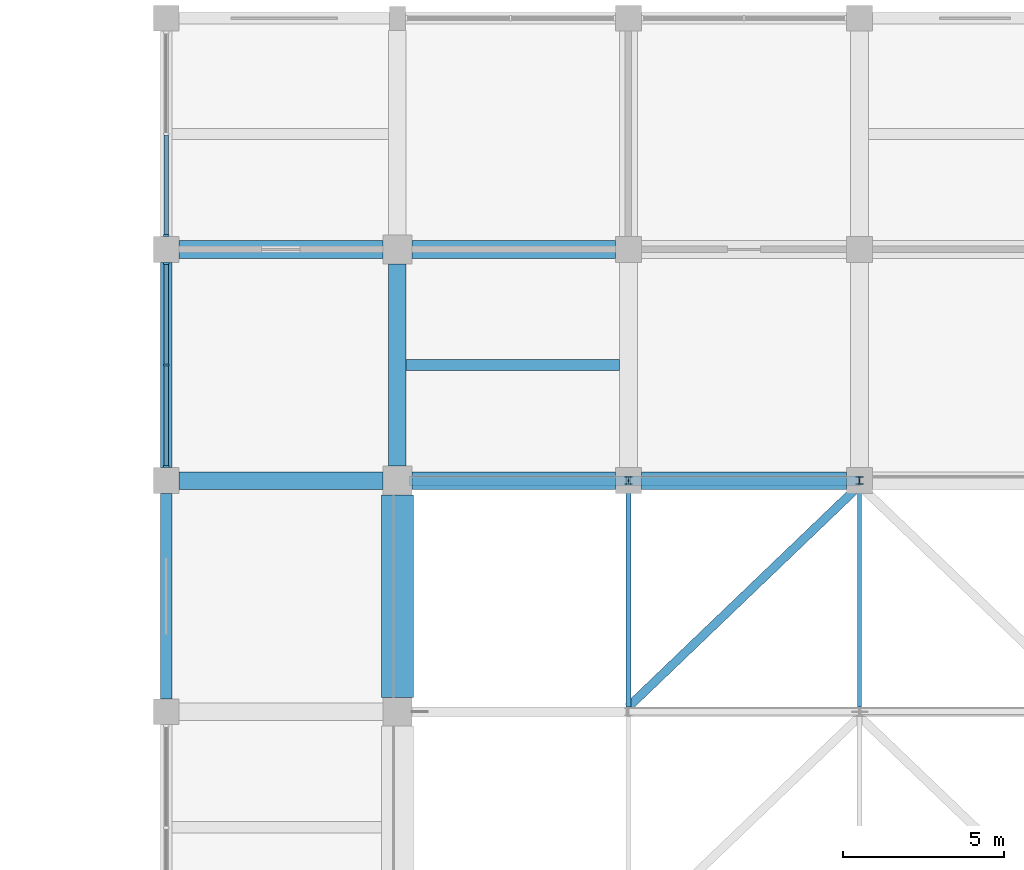
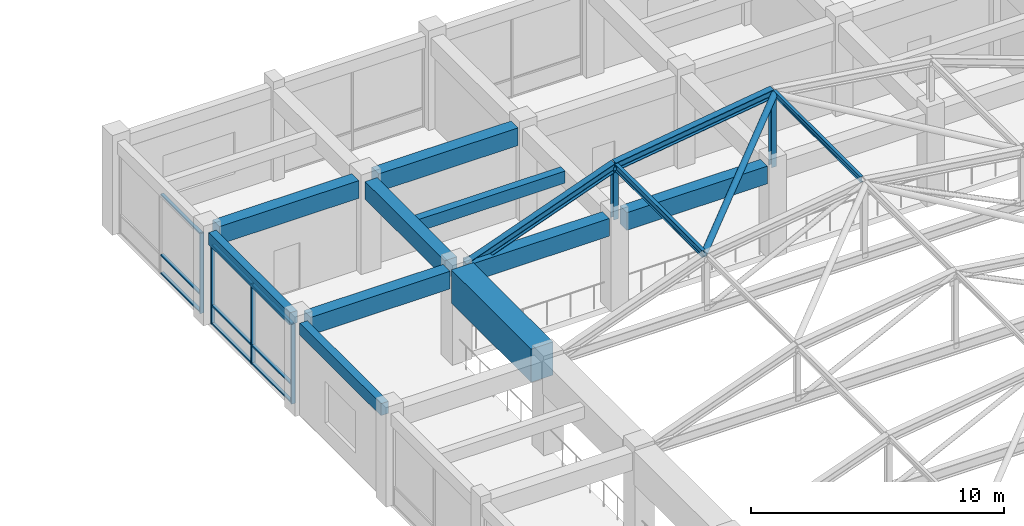
# One storey, part 43 of 75: 20 members, 10 beams, 2 elements without a shape of their own.
"""IFC4 building model written with IfcOpenShell, lengths in metres."""

from ifc_helpers import new_model, si_unit, direction, frame, origin, origin_2d, place, context, subcontext, project, spatial, rectangle, hollow_circle, i_section, extrude, material, layer, layer_set, material_profile, profile_set, type_object, element, aggregate, save


model = new_model("IFC4")

# Units and contexts
model_context = context("Model", 3, precision=1e-05, world=origin(), true_north=direction((0.0, 1.0)))
body_context = subcontext(model_context, "Body", "Model", "MODEL_VIEW")
ifc_project = project(units=[si_unit("LENGTHUNIT", "METRE"), si_unit("AREAUNIT", "SQUARE_METRE"), si_unit("VOLUMEUNIT", "CUBIC_METRE"), si_unit("PLANEANGLEUNIT", "RADIAN"), si_unit("MASSUNIT", "GRAM", prefix="KILO")], contexts=[model_context])

# Site, building, storey
site_placement = place(None, origin())
site = spatial("IfcSite", under=ifc_project, at=site_placement, CompositionType="ELEMENT")
building_placement = place(site_placement, origin())
building = spatial("IfcBuilding", under=site, at=building_placement, Name="Cendaluz Park School", CompositionType="ELEMENT")
storey_placement = place(building_placement, frame((0.0, 0.0, 4.800048828125)))
storey = spatial("IfcBuildingStorey", under=building, at=storey_placement, Name="L01", CompositionType="ELEMENT", Elevation=4.800048828125)

# Beams
ifc_material_1 = material(Name="Concrete C40/50", Category="concrete")
ifc_material_profile_1 = material_profile(ifc_material_1, rectangle(XDim=0.550048828125, YDim=0.85009765625, at=origin_2d()), Name="RC 550x850", Category="concrete")
ifc_profile_set_1 = profile_set([ifc_material_profile_1], Name="Concrete C40/50")
beam_type_1 = type_object("IfcBeamType", Name="BM-RC01", PredefinedType="BEAM", material=ifc_profile_set_1)
for number, where, z_axis, x_axis, name in (
    (1, (130.0, 100.800048828125, 4.0048828125), (1.0, 0.0, 0.0), (0.0, 1.0, 0.0), "BM-L01-BMRC01-0170"),
    (2, (130.0, 108.0, 4.0048828125), (1.0, 0.0, 0.0), (0.0, 1.0, 0.0), "BM-L01-BMRC01-0171"),
    (3, (137.25, 100.800048828125, 4.0048828125), (1.0, 0.0, 0.0), (0.0, 1.0, 0.0), "BM-L01-BMRC01-0181"),
    (4, (137.25, 108.0, 4.0048828125), (1.0, 0.0, 0.0), (0.0, 1.0, 0.0), "BM-L01-BMRC01-0182"),
):
    element("IfcBeam", number, at=place(storey_placement, frame(where, z_axis=z_axis, x_axis=x_axis)), inside=storey, type_object=beam_type_1, Name=name, PredefinedType="BEAM", context=body_context, shape_type="SweptSolid", body=[
        extrude(rectangle(XDim=0.550048828125, YDim=0.85009765625, at=origin_2d()), origin(), (0.0, 0.0, 1.0), 6.35009765625),
    ])
beam_1_placement = place(storey_placement, frame((144.39990234375, 100.800048828125, 4.0048828125), z_axis=(1.0, 0.0, 0.0), x_axis=(0.0, 1.0, 0.0)))
element("IfcBeam", 5, at=beam_1_placement, inside=storey, type_object=beam_type_1, Name="BM-L01-BMRC01-0190", PredefinedType="BEAM", context=body_context, shape_type="SweptSolid", body=[
    extrude(rectangle(XDim=0.550048828125, YDim=0.85009765625, at=origin_2d()), origin(), (0.0, 0.0, 1.0), 6.400146484375),
])
beam_2_placement = place(storey_placement, frame((136.800048828125, 101.25, 4.0048828125), z_axis=(0.0, 1.0, 0.0), x_axis=(-1.0, 0.0, 0.0)))
element("IfcBeam", 6, at=beam_2_placement, inside=storey, type_object=beam_type_1, Name="BM-L01-BMRC01-0417", PredefinedType="BEAM", context=body_context, shape_type="SweptSolid", body=[
    extrude(rectangle(XDim=0.550048828125, YDim=0.85009765625, at=origin_2d()), origin(), (0.0, 0.0, 1.0), 6.300048828125),
])
ifc_material_profile_2 = material_profile(ifc_material_1, rectangle(XDim=0.35009765625, YDim=0.580078125, at=origin_2d()), Name="RC 350x580", Category="concrete")
ifc_profile_set_2 = profile_set([ifc_material_profile_2], Name="Concrete C40/50")
beam_type_2 = type_object("IfcBeamType", Name="BM-RC04", PredefinedType="LINTEL", material=ifc_profile_set_2)
beam_3_placement = place(storey_placement, frame((129.60009765625, 94.0, 4.139892578125), z_axis=(0.0, 1.0, 0.0), x_axis=(-1.0, 0.0, 0.0)))
element("IfcBeam", 7, at=beam_3_placement, inside=storey, type_object=beam_type_2, Name="BM-L01-BMRC04-0400", PredefinedType="LINTEL", context=body_context, shape_type="SweptSolid", body=[
    extrude(rectangle(XDim=0.35009765625, YDim=0.580078125, at=origin_2d()), origin(), (0.0, 0.0, 1.0), 6.39990234375),
])
beam_4_placement = place(storey_placement, frame((129.60009765625, 101.199951171875, 4.139892578125), z_axis=(0.0, 1.0, 0.0), x_axis=(-1.0, 0.0, 0.0)))
element("IfcBeam", 8, at=beam_4_placement, inside=storey, type_object=beam_type_2, Name="BM-L01-BMRC04-0401", PredefinedType="LINTEL", context=body_context, shape_type="SweptSolid", body=[
    extrude(rectangle(XDim=0.35009765625, YDim=0.580078125, at=origin_2d()), origin(), (0.0, 0.0, 1.0), 6.400146484375),
])

# Curtain wall, members
ifc_material_2 = material(Name="Anodised Aluminium 6063-T6", Category="aluminium")
ifc_layer = layer(ifc_material_2, 0.179931640625)
ifc_layer_set = layer_set([ifc_layer], Name="Anodised Aluminium 6063-T6")
curtain_wall_type = type_object("IfcCurtainWallType", Name="CW-128x77", PredefinedType="NOTDEFINED", material=ifc_layer_set)
curtain_wall_1_placement = place(storey_placement, origin())
curtain_wall_1 = element("IfcCurtainWall", 9, at=curtain_wall_1_placement, inside=storey, type_object=curtain_wall_type, Name="CW-L01-066", PredefinedType="NOTDEFINED")
ifc_material_profile_3 = material_profile(ifc_material_2, rectangle(XDim=0.179931640625, YDim=0.070068359375, at=origin_2d()), Name="CWM 180x70", Category="aluminium")
ifc_profile_set_3 = profile_set([ifc_material_profile_3], Name="Anodised Aluminium 6063-T6")
member_type_1 = type_object("IfcMemberType", Name="CWM-01", PredefinedType="MULLION", material=ifc_profile_set_3)
member_1_placement = place(storey_placement, frame((129.60009765625, 101.235107421875, 0.0), z_axis=(0.0, 0.0, 1.0), x_axis=(-1.0, 0.0, 0.0)))
member_1 = element("IfcMember", 10, at=member_1_placement, type_object=member_type_1, Name="CP-L01-0846", PredefinedType="MULLION", context=body_context, shape_type="SweptSolid", body=[
    extrude(rectangle(XDim=0.179931640625, YDim=0.070068359375, at=origin_2d()), origin(), (0.0, 0.0, 1.0), 3.849853515625),
])
member_2_placement = place(storey_placement, frame((129.60009765625, 104.39990234375, 0.0), z_axis=(0.0, 0.0, 1.0), x_axis=(-1.0, 0.0, 0.0)))
member_2 = element("IfcMember", 11, at=member_2_placement, type_object=member_type_1, Name="CP-L01-0847", PredefinedType="MULLION", context=body_context, shape_type="SweptSolid", body=[
    extrude(rectangle(XDim=0.179931640625, YDim=0.070068359375, at=origin_2d()), origin(), (0.0, 0.0, 1.0), 3.849853515625),
])
member_3_placement = place(storey_placement, frame((129.60009765625, 107.56494140625, 0.0), z_axis=(0.0, 0.0, 1.0), x_axis=(-1.0, 0.0, 0.0)))
member_3 = element("IfcMember", 12, at=member_3_placement, type_object=member_type_1, Name="CP-L01-0848", PredefinedType="MULLION", context=body_context, shape_type="SweptSolid", body=[
    extrude(rectangle(XDim=0.179931640625, YDim=0.070068359375, at=origin_2d()), origin(), (0.0, 0.0, 1.0), 3.849853515625),
])

# Curtain wall, member
curtain_wall_2_placement = place(storey_placement, origin())
curtain_wall_2 = element("IfcCurtainWall", 13, at=curtain_wall_2_placement, inside=storey, type_object=curtain_wall_type, Name="CW-L01-067", PredefinedType="NOTDEFINED")
member_4_placement = place(storey_placement, frame((129.60009765625, 108.43505859375, 0.0), z_axis=(0.0, 0.0, 1.0), x_axis=(-1.0, 0.0, 0.0)))
member_4 = element("IfcMember", 14, at=member_4_placement, type_object=member_type_1, Name="CP-L01-0859", PredefinedType="MULLION", context=body_context, shape_type="SweptSolid", body=[
    extrude(rectangle(XDim=0.179931640625, YDim=0.070068359375, at=origin_2d()), origin(), (0.0, 0.0, 1.0), 3.849853515625),
])

# Member
ifc_material_profile_4 = material_profile(ifc_material_2, rectangle(XDim=0.139892578125, YDim=0.070068359375, at=origin_2d()), Name="CWT 140x70", Category="aluminium")
ifc_profile_set_4 = profile_set([ifc_material_profile_4], Name="Anodised Aluminium 6063-T6")
member_type_2 = type_object("IfcMemberType", Name="CWT-01", PredefinedType="USERDEFINED", material=ifc_profile_set_4)
member_5_placement = place(storey_placement, frame((129.60009765625, 101.27001953125, 0.034912109375), z_axis=(0.0, 1.0, 0.0), x_axis=(-1.0, 0.0, 0.0)))
member_5 = element("IfcMember", 15, at=member_5_placement, type_object=member_type_2, Name="CP-L01-0849", ObjectType="TRANSOM", PredefinedType="USERDEFINED", context=body_context, shape_type="SweptSolid", body=[
    extrude(rectangle(XDim=0.139892578125, YDim=0.070068359375, at=origin_2d()), origin(), (0.0, 0.0, 1.0), 3.094970703125),
])

member_6_placement = place(storey_placement, frame((129.60009765625, 101.27001953125, 0.89990234375), z_axis=(0.0, 1.0, 0.0), x_axis=(-1.0, 0.0, 0.0)))
member_6 = element("IfcMember", 16, at=member_6_placement, type_object=member_type_2, Name="CP-L01-0850", ObjectType="TRANSOM", PredefinedType="USERDEFINED", context=body_context, shape_type="SweptSolid", body=[
    extrude(rectangle(XDim=0.139892578125, YDim=0.070068359375, at=origin_2d()), origin(), (0.0, 0.0, 1.0), 3.094970703125),
])

member_7_placement = place(storey_placement, frame((129.60009765625, 101.27001953125, 3.81494140625), z_axis=(0.0, 1.0, 0.0), x_axis=(-1.0, 0.0, 0.0)))
member_7 = element("IfcMember", 17, at=member_7_placement, type_object=member_type_2, Name="CP-L01-0851", ObjectType="TRANSOM", PredefinedType="USERDEFINED", context=body_context, shape_type="SweptSolid", body=[
    extrude(rectangle(XDim=0.139892578125, YDim=0.070068359375, at=origin_2d()), origin(), (0.0, 0.0, 1.0), 3.094970703125),
])

member_8_placement = place(storey_placement, frame((129.60009765625, 104.43505859375, 0.034912109375), z_axis=(0.0, 1.0, 0.0), x_axis=(-1.0, 0.0, 0.0)))
member_8 = element("IfcMember", 18, at=member_8_placement, type_object=member_type_2, Name="CP-L01-0854", ObjectType="TRANSOM", PredefinedType="USERDEFINED", context=body_context, shape_type="SweptSolid", body=[
    extrude(rectangle(XDim=0.139892578125, YDim=0.070068359375, at=origin_2d()), origin(), (0.0, 0.0, 1.0), 3.094970703125),
])

member_9_placement = place(storey_placement, frame((129.60009765625, 104.43505859375, 0.89990234375), z_axis=(0.0, 1.0, 0.0), x_axis=(-1.0, 0.0, 0.0)))
member_9 = element("IfcMember", 19, at=member_9_placement, type_object=member_type_2, Name="CP-L01-0855", ObjectType="TRANSOM", PredefinedType="USERDEFINED", context=body_context, shape_type="SweptSolid", body=[
    extrude(rectangle(XDim=0.139892578125, YDim=0.070068359375, at=origin_2d()), origin(), (0.0, 0.0, 1.0), 3.094970703125),
])

member_10_placement = place(storey_placement, frame((129.60009765625, 104.43505859375, 3.81494140625), z_axis=(0.0, 1.0, 0.0), x_axis=(-1.0, 0.0, 0.0)))
member_10 = element("IfcMember", 20, at=member_10_placement, type_object=member_type_2, Name="CP-L01-0856", ObjectType="TRANSOM", PredefinedType="USERDEFINED", context=body_context, shape_type="SweptSolid", body=[
    extrude(rectangle(XDim=0.139892578125, YDim=0.070068359375, at=origin_2d()), origin(), (0.0, 0.0, 1.0), 3.094970703125),
])

aggregate(curtain_wall_1, [member_1, member_2, member_3, member_5, member_6, member_7, member_8, member_9, member_10])

member_11_placement = place(storey_placement, frame((129.60009765625, 108.469970703125, 0.034912109375), z_axis=(0.0, 1.0, 0.0), x_axis=(-1.0, 0.0, 0.0)))
member_11 = element("IfcMember", 21, at=member_11_placement, type_object=member_type_2, Name="CP-L01-0862", ObjectType="TRANSOM", PredefinedType="USERDEFINED", context=body_context, shape_type="SweptSolid", body=[
    extrude(rectangle(XDim=0.139892578125, YDim=0.070068359375, at=origin_2d()), origin(), (0.0, 0.0, 1.0), 3.094970703125),
])

member_12_placement = place(storey_placement, frame((129.60009765625, 108.469970703125, 0.89990234375), z_axis=(0.0, 1.0, 0.0), x_axis=(-1.0, 0.0, 0.0)))
member_12 = element("IfcMember", 22, at=member_12_placement, type_object=member_type_2, Name="CP-L01-0863", ObjectType="TRANSOM", PredefinedType="USERDEFINED", context=body_context, shape_type="SweptSolid", body=[
    extrude(rectangle(XDim=0.139892578125, YDim=0.070068359375, at=origin_2d()), origin(), (0.0, 0.0, 1.0), 3.094970703125),
])

member_13_placement = place(storey_placement, frame((129.60009765625, 108.469970703125, 3.81494140625), z_axis=(0.0, 1.0, 0.0), x_axis=(-1.0, 0.0, 0.0)))
member_13 = element("IfcMember", 23, at=member_13_placement, type_object=member_type_2, Name="CP-L01-0864", ObjectType="TRANSOM", PredefinedType="USERDEFINED", context=body_context, shape_type="SweptSolid", body=[
    extrude(rectangle(XDim=0.139892578125, YDim=0.070068359375, at=origin_2d()), origin(), (0.0, 0.0, 1.0), 3.094970703125),
])

aggregate(curtain_wall_2, [member_4, member_11, member_12, member_13])

# Beam
ifc_material_profile_5 = material_profile(ifc_material_1, rectangle(XDim=0.35009765625, YDim=0.580078125, at=origin_2d()), Name="RC 350x580", Category="concrete")
ifc_profile_set_5 = profile_set([ifc_material_profile_5], Name="Concrete C40/50")
beam_type_3 = type_object("IfcBeamType", Name="JT-RC01", PredefinedType="JOIST", material=ifc_profile_set_5)
beam_5_placement = place(storey_placement, frame((137.074951171875, 104.39990234375, 4.139892578125), z_axis=(1.0, 0.0, 0.0), x_axis=(0.0, 1.0, 0.0)))
element("IfcBeam", 24, at=beam_5_placement, inside=storey, type_object=beam_type_3, Name="BM-L01-JTRC01-0515", PredefinedType="JOIST", context=body_context, shape_type="SweptSolid", body=[
    extrude(rectangle(XDim=0.35009765625, YDim=0.580078125, at=origin_2d()), origin(), (0.0, 0.0, 1.0), 6.650146484375),
])

# Members
ifc_material_3 = material(Name="Steel S355", Category="steel")
ifc_material_profile_6 = material_profile(ifc_material_3, i_section(OverallWidth=0.300048828125, OverallDepth=0.39990234375, WebThickness=0.013916015625, FlangeThickness=0.02392578125, FilletRadius=0.027099609375, at=origin_2d()), Name="HEB 400", Category="steel")
ifc_profile_set_6 = profile_set([ifc_material_profile_6], Name="Steel S355")
member_type_3 = type_object("IfcMemberType", Name="MB-CH01", PredefinedType="CHORD", material=ifc_profile_set_6)
member_14_placement = place(storey_placement, frame((137.25, 100.800048828125, 4.219970703125), z_axis=(0.939102267455, 0.0, 0.343637790793), x_axis=(0.0, 1.0, 0.0)))
element("IfcMember", 25, at=member_14_placement, inside=storey, type_object=member_type_3, Name="MB-L01-MBCH01-0140", PredefinedType="CHORD", context=body_context, shape_type="SweptSolid", body=[
    extrude(i_section(OverallWidth=0.300048828125, OverallDepth=0.39990234375, WebThickness=0.013916015625, FlangeThickness=0.02392578125, FilletRadius=0.027099609375, at=origin_2d()), origin(), (0.0, 0.0, 1.0), 7.187744140625),
])
member_15_placement = place(storey_placement, frame((144.0, 100.800048828125, 6.68994140625), z_axis=(0.990113333567, 0.0, 0.140269692708), x_axis=(0.0, 1.0, 0.0)))
element("IfcMember", 26, at=member_15_placement, inside=storey, type_object=member_type_3, Name="MB-L01-MBCH01-0141", PredefinedType="CHORD", context=body_context, shape_type="SweptSolid", body=[
    extrude(i_section(OverallWidth=0.300048828125, OverallDepth=0.39990234375, WebThickness=0.013916015625, FlangeThickness=0.02392578125, FilletRadius=0.027099609375, at=origin_2d()), origin(), (0.0, 0.0, 1.0), 7.271728515625),
])
ifc_material_profile_7 = material_profile(ifc_material_3, i_section(OverallWidth=0.135009765625, OverallDepth=0.27001953125, WebThickness=0.007080078125, FlangeThickness=0.010009765625, FilletRadius=0.014892578125, at=origin_2d()), Name="IPE 270", Category="steel")
ifc_profile_set_7 = profile_set([ifc_material_profile_7], Name="Steel S355")
member_type_4 = type_object("IfcMemberType", Name="MB-PR01", PredefinedType="PURLIN", material=ifc_profile_set_7)
member_16_placement = place(storey_placement, frame((151.199951171875, 93.75, 7.764892578125), z_axis=(0.0, 1.0, 0.0), x_axis=(-1.0, 0.0, 0.0)))
element("IfcMember", 27, at=member_16_placement, inside=storey, type_object=member_type_4, Name="MB-L01-MBPR01-0171", PredefinedType="PURLIN", context=body_context, shape_type="SweptSolid", body=[
    extrude(i_section(OverallWidth=0.135009765625, OverallDepth=0.27001953125, WebThickness=0.007080078125, FlangeThickness=0.010009765625, FilletRadius=0.014892578125, at=origin_2d()), origin(), (0.0, 0.0, 1.0), 6.89990234375),
])
ifc_material_profile_8 = material_profile(ifc_material_3, i_section(OverallWidth=0.159912109375, OverallDepth=0.330078125, WebThickness=0.008056640625, FlangeThickness=0.011962890625, FilletRadius=0.01806640625, at=origin_2d()), Name="IPE 330", Category="steel")
ifc_profile_set_8 = profile_set([ifc_material_profile_8], Name="Steel S355")
member_type_5 = type_object("IfcMemberType", Name="MB-PR02", PredefinedType="PURLIN", material=ifc_profile_set_8)
member_17_placement = place(storey_placement, frame((144.0, 93.75, 6.704833984375), z_axis=(0.0, 1.0, 0.0), x_axis=(-1.0, 0.0, 0.0)))
element("IfcMember", 28, at=member_17_placement, inside=storey, type_object=member_type_5, Name="MB-L01-MBPR02-0170", PredefinedType="PURLIN", context=body_context, shape_type="SweptSolid", body=[
    extrude(i_section(OverallWidth=0.159912109375, OverallDepth=0.330078125, WebThickness=0.008056640625, FlangeThickness=0.011962890625, FilletRadius=0.01806640625, at=origin_2d()), origin(), (0.0, 0.0, 1.0), 6.89990234375),
])
ifc_material_profile_9 = material_profile(ifc_material_3, hollow_circle(Radius=0.136474609375, WallThickness=0.011962890625, at=origin_2d()), Name="CHS 273x12", Category="steel")
ifc_profile_set_9 = profile_set([ifc_material_profile_9], Name="Steel S355")
member_type_6 = type_object("IfcMemberType", Name="MBR-01", PredefinedType="BRACE", material=ifc_profile_set_9)
member_18_placement = place(storey_placement, frame((144.0, 93.75, 6.68994140625), z_axis=(0.718243342444, 0.688311462621, 0.101753778601), x_axis=(-0.691902704581, 0.721990752983, 0.0)))
element("IfcMember", 29, at=member_18_placement, inside=storey, type_object=member_type_6, Name="MB-L01-MBBR01-0173", PredefinedType="BRACE", context=body_context, shape_type="SweptSolid", body=[
    extrude(hollow_circle(Radius=0.136474609375, WallThickness=0.011962890625, at=origin_2d()), origin(), (0.0, 0.0, 1.0), 10.0244140625),
])
ifc_material_profile_10 = material_profile(ifc_material_3, i_section(OverallWidth=0.239990234375, OverallDepth=0.22998046875, WebThickness=0.008056640625, FlangeThickness=0.011962890625, FilletRadius=0.02099609375, at=origin_2d()), Name="HEA 240", Category="steel")
ifc_profile_set_10 = profile_set([ifc_material_profile_10], Name="Steel S355")
member_type_7 = type_object("IfcMemberType", Name="MST-01", PredefinedType="STRUT", material=ifc_profile_set_10)
member_19_placement = place(storey_placement, frame((144.0, 100.800048828125, 4.14990234375), z_axis=(0.0, 0.0, 1.0), x_axis=(1.0, 0.0, 0.0)))
element("IfcMember", 30, at=member_19_placement, inside=storey, type_object=member_type_7, Name="MB-L01-MBST01-0144", PredefinedType="STRUT", context=body_context, shape_type="SweptSolid", body=[
    extrude(i_section(OverallWidth=0.239990234375, OverallDepth=0.22998046875, WebThickness=0.008056640625, FlangeThickness=0.011962890625, FilletRadius=0.02099609375, at=origin_2d()), origin(), (0.0, 0.0, 1.0), 2.5400390625),
])
member_20_placement = place(storey_placement, frame((151.199951171875, 100.800048828125, 4.14990234375), z_axis=(0.0, 0.0, 1.0), x_axis=(1.0, 0.0, 0.0)))
element("IfcMember", 31, at=member_20_placement, inside=storey, type_object=member_type_7, Name="MB-L01-MBST01-0145", PredefinedType="STRUT", context=body_context, shape_type="SweptSolid", body=[
    extrude(i_section(OverallWidth=0.239990234375, OverallDepth=0.22998046875, WebThickness=0.008056640625, FlangeThickness=0.011962890625, FilletRadius=0.02099609375, at=origin_2d()), origin(), (0.0, 0.0, 1.0), 3.56005859375),
])

# Beam
ifc_material_profile_11 = material_profile(ifc_material_1, rectangle(XDim=1.0, YDim=1.60009765625, at=origin_2d()), Name="RC 1000x1600", Category="concrete")
ifc_profile_set_11 = profile_set([ifc_material_profile_11], Name="Concrete C40/50")
beam_type_4 = type_object("IfcBeamType", Name="TG-RC01", PredefinedType="BEAM", material=ifc_profile_set_11)
beam_6_placement = place(storey_placement, frame((136.800048828125, 94.050048828125, 3.820068359375), z_axis=(0.0, 1.0, 0.0), x_axis=(-1.0, 0.0, 0.0)))
element("IfcBeam", 32, at=beam_6_placement, inside=storey, type_object=beam_type_4, Name="Barrel Vault Collector Girder BM-L01-TGRC01-0416", PredefinedType="BEAM", context=body_context, shape_type="SweptSolid", body=[
    extrude(rectangle(XDim=1.0, YDim=1.60009765625, at=origin_2d()), origin(), (0.0, 0.0, 1.0), 6.300048828125),
])

save(model, "model.ifc")
